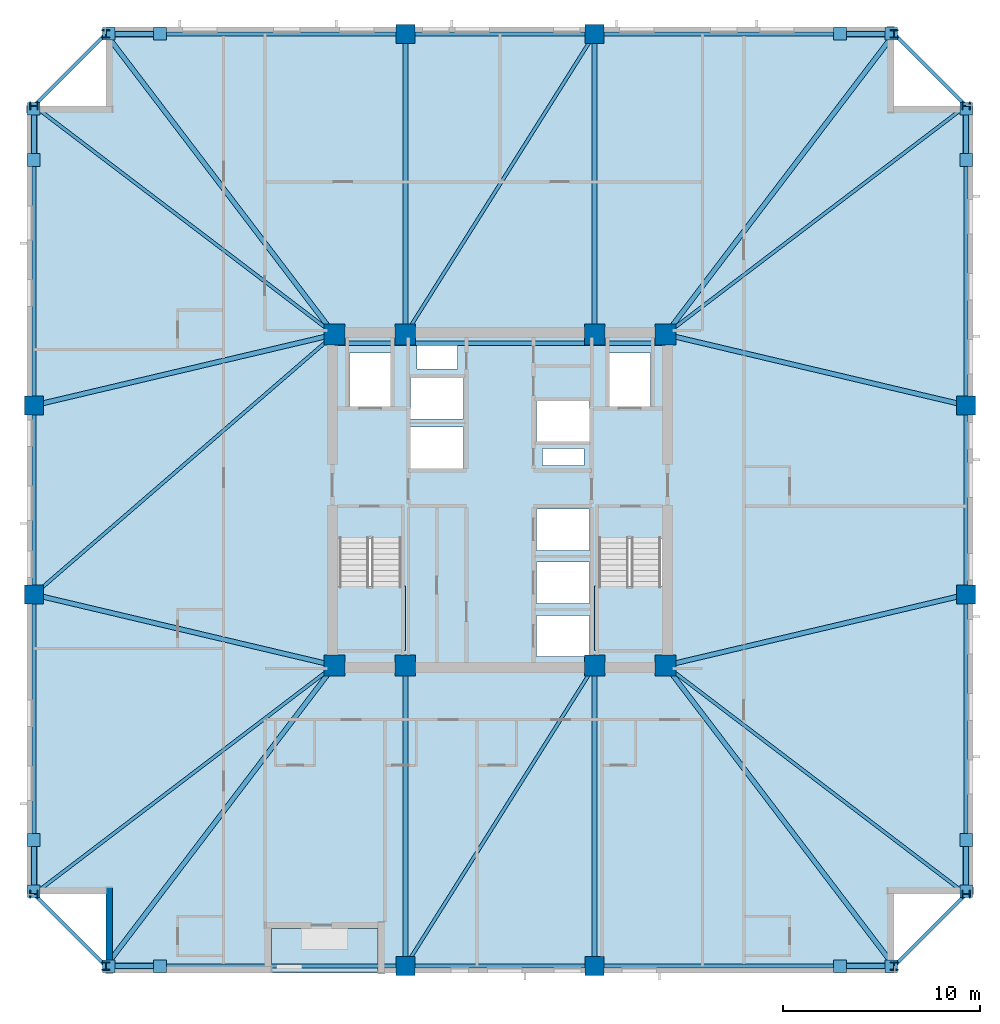
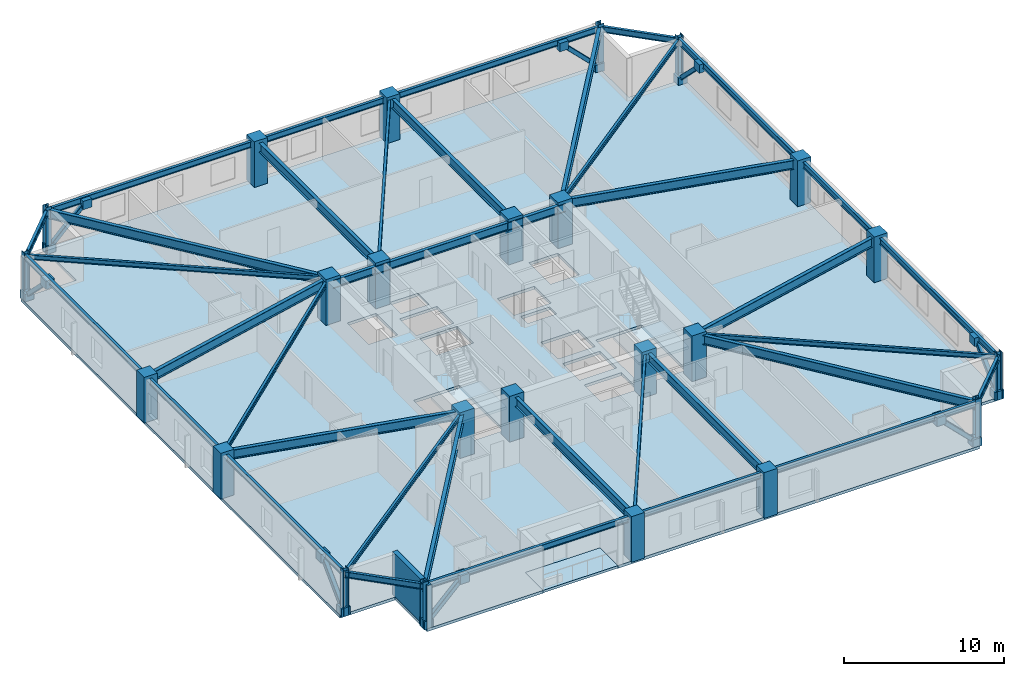
# One storey, part 1 of 10: 38 beams, 24 columns, 16 plates, 8 members, 4 slabs, 1 wall, 2 elements without a shape of their own.
"""IFC4 building model written with IfcOpenShell, lengths in metres."""

from ifc_helpers import new_model, si_unit, direction, frame, frame_2d, origin, origin_2d, place, context, subcontext, project, spatial, polyline, rectangle, hollow_rectangle, i_section, outline, extrude, material, layer, layer_set, material_profile, profile_set, type_object, element, aggregate, save


model = new_model("IFC4")

# Units and contexts
model_context = context("Model", 3, precision=1e-05, world=origin(), true_north=direction((0.0, 1.0)))
body_context = subcontext(model_context, "Body", "Model", "MODEL_VIEW")
ifc_project = project(units=[si_unit("LENGTHUNIT", "METRE"), si_unit("AREAUNIT", "SQUARE_METRE"), si_unit("VOLUMEUNIT", "CUBIC_METRE"), si_unit("PLANEANGLEUNIT", "RADIAN"), si_unit("MASSUNIT", "GRAM", prefix="KILO")], contexts=[model_context])

# Site, building, storey
site_placement = place(None, origin())
site = spatial("IfcSite", under=ifc_project, at=site_placement, CompositionType="ELEMENT")
building_placement = place(site_placement, origin())
building = spatial("IfcBuilding", under=site, at=building_placement, Name="Cairnveth Concourse Tower", CompositionType="ELEMENT")
storey_placement = place(building_placement, frame((0.0, 0.0, 144.5)))
storey = spatial("IfcBuildingStorey", under=building, at=storey_placement, Name="L39", CompositionType="ELEMENT", Elevation=144.5)

# Columns
ifc_material_1 = material(Name="Concrete N65 (65 MPa)", Category="concrete")
ifc_material_profile_1 = material_profile(ifc_material_1, rectangle(XDim=1.050048828125, YDim=1.050048828125, at=origin_2d()), Name="RC-COL-1050x1050")
ifc_profile_set_1 = profile_set([ifc_material_profile_1], Name="Concrete N65 (65 MPa)")
column_type_1 = type_object("IfcColumnType", Name="CORE COLUMN 1050X1050", PredefinedType="COLUMN", material=ifc_profile_set_1)
for number, where, z_axis, x_axis, name in (
    (1, (43.60009765625, 30.60009765625, 0.0), (0.0, 0.0, 1.0), (1.0, 0.0, 0.0), "Column CC1 L39"),
    (2, (47.199951171875, 30.60009765625, 0.0), (0.0, 0.0, 1.0), (1.0, 0.0, 0.0), "Column CC2 L39"),
    (3, (56.800048828125, 30.60009765625, 0.0), (0.0, 0.0, 1.0), (1.0, 0.0, 0.0), "Column CC3 L39"),
    (4, (60.39990234375, 30.60009765625, 0.0), (0.0, 0.0, 1.0), (1.0, 0.0, 0.0), "Column CC4 L39"),
    (5, (43.60009765625, 47.39990234375, 0.0), (0.0, 0.0, 1.0), (1.0, 0.0, 0.0), "Column CC5 L39"),
    (6, (47.199951171875, 47.39990234375, 0.0), (0.0, 0.0, 1.0), (1.0, 0.0, 0.0), "Column CC6 L39"),
    (7, (56.800048828125, 47.39990234375, 0.0), (0.0, 0.0, 1.0), (1.0, 0.0, 0.0), "Column CC7 L39"),
    (8, (60.39990234375, 47.39990234375, 0.0), (0.0, 0.0, 1.0), (1.0, 0.0, 0.0), "Column CC8 L39"),
):
    element("IfcColumn", number, at=place(storey_placement, frame(where, z_axis=z_axis, x_axis=x_axis)), inside=storey, type_object=column_type_1, Name=name, PredefinedType="COLUMN", context=body_context, shape_type="SweptSolid", body=[
        extrude(rectangle(XDim=1.050048828125, YDim=1.050048828125, at=origin_2d()), origin(), (0.0, 0.0, 1.0), 3.5),
    ])
ifc_material_profile_2 = material_profile(ifc_material_1, rectangle(XDim=0.949951171875, YDim=0.949951171875, at=origin_2d()), Name="RC-COL-950x950")
ifc_profile_set_2 = profile_set([ifc_material_profile_2], Name="Concrete N65 (65 MPa)")
column_type_2 = type_object("IfcColumnType", Name="PERIMETER PIER COLUMN 950X950", PredefinedType="COLUMN", material=ifc_profile_set_2)
for number, where, z_axis, x_axis, name in (
    (9, (47.199951171875, 15.35009765625, 0.0), (0.0, 0.0, 1.0), (1.0, 0.0, 0.0), "Column P-S2 L39"),
    (10, (56.800048828125, 15.35009765625, 0.0), (0.0, 0.0, 1.0), (1.0, 0.0, 0.0), "Column P-S3 L39"),
    (11, (75.64990234375, 34.199951171875, 0.0), (0.0, 0.0, 1.0), (0.0, 1.0, 0.0), "Column P-E2 L39"),
    (12, (75.64990234375, 43.800048828125, 0.0), (0.0, 0.0, 1.0), (0.0, 1.0, 0.0), "Column P-E3 L39"),
    (13, (56.800048828125, 62.64990234375, 0.0), (0.0, 0.0, 1.0), (1.0, 0.0, 0.0), "Column P-N2 L39"),
    (14, (47.199951171875, 62.64990234375, 0.0), (0.0, 0.0, 1.0), (1.0, 0.0, 0.0), "Column P-N3 L39"),
    (15, (28.35009765625, 43.800048828125, 0.0), (0.0, 0.0, 1.0), (0.0, 1.0, 0.0), "Column P-W2 L39"),
    (16, (28.35009765625, 34.199951171875, 0.0), (0.0, 0.0, 1.0), (0.0, 1.0, 0.0), "Column P-W3 L39"),
):
    element("IfcColumn", number, at=place(storey_placement, frame(where, z_axis=z_axis, x_axis=x_axis)), inside=storey, type_object=column_type_2, Name=name, PredefinedType="COLUMN", context=body_context, shape_type="SweptSolid", body=[
        extrude(rectangle(XDim=0.949951171875, YDim=0.949951171875, at=origin_2d()), origin(), (0.0, 0.0, 1.0), 3.5),
    ])
ifc_material_2 = material(Name="Steel Grade 350", Category="steel")
ifc_material_profile_3 = material_profile(ifc_material_2, i_section(OverallWidth=0.39990234375, OverallDepth=0.39990234375, WebThickness=0.02197265625, FlangeThickness=0.035888671875, at=origin_2d()), Name="400WC270")
ifc_profile_set_3 = profile_set([ifc_material_profile_3], Name="Steel Grade 350")
column_type_3 = type_object("IfcColumnType", Name="WELDED STEEL COLUMN 400WC270", PredefinedType="COLUMN", material=ifc_profile_set_3)
for number, where, z_axis, x_axis, name in (
    (17, (32.0, 15.35009765625, 0.0), (0.0, 0.0, 1.0), (1.0, 0.0, 0.0), "Column P-S1 L39"),
    (18, (72.0, 15.35009765625, 0.0), (0.0, 0.0, 1.0), (1.0, 0.0, 0.0), "Column P-S4 L39"),
    (19, (75.64990234375, 19.0, 0.0), (0.0, 0.0, 1.0), (0.0, 1.0, 0.0), "Column P-E1 L39"),
    (20, (75.64990234375, 59.0, 0.0), (0.0, 0.0, 1.0), (0.0, 1.0, 0.0), "Column P-E4 L39"),
    (21, (72.0, 62.64990234375, 0.0), (0.0, 0.0, 1.0), (1.0, 0.0, 0.0), "Column P-N1 L39"),
    (22, (32.0, 62.64990234375, 0.0), (0.0, 0.0, 1.0), (1.0, 0.0, 0.0), "Column P-N4 L39"),
    (23, (28.35009765625, 59.0, 0.0), (0.0, 0.0, 1.0), (0.0, 1.0, 0.0), "Column P-W1 L39"),
    (24, (28.35009765625, 19.0, 0.0), (0.0, 0.0, 1.0), (0.0, 1.0, 0.0), "Column P-W4 L39"),
):
    element("IfcColumn", number, at=place(storey_placement, frame(where, z_axis=z_axis, x_axis=x_axis)), inside=storey, type_object=column_type_3, Name=name, PredefinedType="COLUMN", context=body_context, shape_type="SweptSolid", body=[
        extrude(i_section(OverallWidth=0.39990234375, OverallDepth=0.39990234375, WebThickness=0.02197265625, FlangeThickness=0.035888671875, at=origin_2d()), origin(), (0.0, 0.0, 1.0), 3.5),
    ])

# Beams
ifc_material_profile_4 = material_profile(ifc_material_2, i_section(OverallWidth=0.22802734375, OverallDepth=0.60693359375, WebThickness=0.01123046875, FlangeThickness=0.017333984375, FilletRadius=0.013916015625, at=origin_2d()), Name="610UB113")
ifc_profile_set_4 = profile_set([ifc_material_profile_4], Name="Steel Grade 350")
beam_type_1 = type_object("IfcBeamType", Name="CORE TIE BEAM 610UB113", PredefinedType="T_BEAM", material=ifc_profile_set_4)
for number, where, z_axis, x_axis, name in (
    (25, (43.60009765625, 46.949951171875, 2.9765625), (1.0, 0.0, 0.0), (0.0, 1.0, 0.0), "Beam CT-N1 L39"),
    (26, (56.800048828125, 46.949951171875, 2.9765625), (1.0, 0.0, 0.0), (0.0, 1.0, 0.0), "Beam CT-N3 L39"),
):
    element("IfcBeam", number, at=place(storey_placement, frame(where, z_axis=z_axis, x_axis=x_axis)), inside=storey, type_object=beam_type_1, Name=name, PredefinedType="T_BEAM", context=body_context, shape_type="SweptSolid", body=[
        extrude(i_section(OverallWidth=0.22802734375, OverallDepth=0.60693359375, WebThickness=0.01123046875, FlangeThickness=0.017333984375, FilletRadius=0.013916015625, at=origin_2d()), origin(), (0.0, 0.0, 1.0), 3.599853515625),
    ])
beam_1_placement = place(storey_placement, frame((47.199951171875, 46.949951171875, 2.9765625), z_axis=(1.0, 0.0, 0.0), x_axis=(0.0, 1.0, 0.0)))
element("IfcBeam", 27, at=beam_1_placement, inside=storey, type_object=beam_type_1, Name="Beam CT-N2 L39", PredefinedType="T_BEAM", context=body_context, shape_type="SweptSolid", body=[
    extrude(i_section(OverallWidth=0.22802734375, OverallDepth=0.60693359375, WebThickness=0.01123046875, FlangeThickness=0.017333984375, FilletRadius=0.013916015625, at=origin_2d()), origin(), (0.0, 0.0, 1.0), 9.60009765625),
])
ifc_material_profile_5 = material_profile(ifc_material_2, i_section(OverallWidth=0.172119140625, OverallDepth=0.35888671875, WebThickness=0.008056640625, FlangeThickness=0.012939453125, FilletRadius=0.010986328125, at=origin_2d()), Name="360UB56.7")
ifc_profile_set_5 = profile_set([ifc_material_profile_5], Name="Steel Grade 350")
beam_type_2 = type_object("IfcBeamType", Name="ZONE 2 FLOOR JOIST 360UB56.7", PredefinedType="JOIST", material=ifc_profile_set_5)
for number, where, z_axis, x_axis, name in (
    (28, (28.35009765625, 19.0, 3.1005859375), (0.795908242904, 0.6054172684, 0.0), (-0.6054172684, 0.795908242904, 0.0), "Beam FJ-CSW2 L39"),
    (29, (75.64990234375, 19.0, 3.1005859375), (-0.795908242904, 0.6054172684, 0.0), (-0.6054172684, -0.795908242904, 0.0), "Beam FJ-CSE2 L39"),
    (30, (75.64990234375, 59.0, 3.1005859375), (-0.795908242904, -0.6054172684, 0.0), (0.6054172684, -0.795908242904, 0.0), "Beam FJ-CNE2 L39"),
    (31, (28.35009765625, 59.0, 3.1005859375), (0.795908242904, -0.6054172684, 0.0), (0.6054172684, 0.795908242904, 0.0), "Beam FJ-CNW2 L39"),
):
    element("IfcBeam", number, at=place(storey_placement, frame(where, z_axis=z_axis, x_axis=x_axis)), inside=storey, type_object=beam_type_2, Name=name, PredefinedType="JOIST", context=body_context, shape_type="SweptSolid", body=[
        extrude(i_section(OverallWidth=0.172119140625, OverallDepth=0.35888671875, WebThickness=0.008056640625, FlangeThickness=0.012939453125, FilletRadius=0.010986328125, at=origin_2d()), origin(), (0.0, 0.0, 1.0), 19.160400390625),
    ])
for number, where, z_axis, x_axis, name in (
    (32, (47.199951171875, 15.35009765625, 3.1005859375), (0.532743557037, 0.84627672923, 0.0), (-0.84627672923, 0.532743557037, 0.0), "Beam FJ-S-M1 L39"),
    (33, (47.199951171875, 47.39990234375, 3.1005859375), (0.532743557037, 0.84627672923, 0.0), (-0.84627672923, 0.532743557037, 0.0), "Beam FJ-N-M1 L39"),
):
    element("IfcBeam", number, at=place(storey_placement, frame(where, z_axis=z_axis, x_axis=x_axis)), inside=storey, type_object=beam_type_2, Name=name, PredefinedType="JOIST", context=body_context, shape_type="SweptSolid", body=[
        extrude(i_section(OverallWidth=0.172119140625, OverallDepth=0.35888671875, WebThickness=0.008056640625, FlangeThickness=0.012939453125, FilletRadius=0.010986328125, at=origin_2d()), origin(), (0.0, 0.0, 1.0), 18.02001953125),
    ])
beam_2_placement = place(storey_placement, frame((28.35009765625, 34.199951171875, 3.1005859375), z_axis=(0.756099107057, 0.654457134049, 0.0), x_axis=(-0.654457134049, 0.756099107057, 0.0)))
element("IfcBeam", 34, at=beam_2_placement, inside=storey, type_object=beam_type_2, Name="Beam FJ-W-M1 L39", PredefinedType="JOIST", context=body_context, shape_type="SweptSolid", body=[
    extrude(i_section(OverallWidth=0.172119140625, OverallDepth=0.35888671875, WebThickness=0.008056640625, FlangeThickness=0.012939453125, FilletRadius=0.010986328125, at=origin_2d()), origin(), (0.0, 0.0, 1.0), 20.16943359375),
])

# Members
ifc_material_3 = material(Name="Steel C350L0 (350 MPa)", Category="steel")
ifc_material_profile_6 = material_profile(ifc_material_3, hollow_rectangle(XDim=0.300048828125, YDim=0.300048828125, WallThickness=0.01611328125, InnerFilletRadius=0.01611328125, OuterFilletRadius=0.031982421875, at=origin_2d()), Name="300x300x16.0SHS")
ifc_profile_set_6 = profile_set([ifc_material_profile_6], Name="Steel C350L0 (350 MPa)")
member_type = type_object("IfcMemberType", Name="ZONE 2 PIER BRACE 300X300X16SHS", PredefinedType="BRACE", material=ifc_profile_set_6)
for number, where, z_axis, x_axis, name in (
    (35, (32.14990234375, 15.35009765625, 0.25), (0.709834195787, 0.0, 0.704368805735), (0.0, 1.0, 0.0), "Structural Brace PB-S1 L39"),
    (36, (71.85009765625, 15.35009765625, 0.25), (-0.709834195787, 0.0, 0.704368805735), (0.0, -1.0, 0.0), "Structural Brace PB-S2 L39"),
    (37, (32.14990234375, 62.64990234375, 0.25), (0.709834195787, 0.0, 0.704368805735), (0.0, 1.0, 0.0), "Structural Brace PB-N1 L39"),
    (38, (71.85009765625, 62.64990234375, 0.25), (-0.709834195787, 0.0, 0.704368805735), (0.0, -1.0, 0.0), "Structural Brace PB-N2 L39"),
    (39, (28.35009765625, 19.14990234375, 0.25), (0.0, 0.709834195787, 0.704368805735), (-1.0, 0.0, 0.0), "Structural Brace PB-W1 L39"),
    (40, (28.35009765625, 58.85009765625, 0.25), (0.0, -0.709834195787, 0.704368805735), (1.0, 0.0, 0.0), "Structural Brace PB-W2 L39"),
    (41, (75.64990234375, 19.14990234375, 0.25), (0.0, 0.709834195787, 0.704368805735), (-1.0, 0.0, 0.0), "Structural Brace PB-E1 L39"),
    (42, (75.64990234375, 58.85009765625, 0.25), (0.0, -0.709834195787, 0.704368805735), (1.0, 0.0, 0.0), "Structural Brace PB-E2 L39"),
):
    element("IfcMember", number, at=place(storey_placement, frame(where, z_axis=z_axis, x_axis=x_axis)), inside=storey, type_object=member_type, Name=name, PredefinedType="BRACE", context=body_context, shape_type="SweptSolid", body=[
        extrude(hollow_rectangle(XDim=0.300048828125, YDim=0.300048828125, WallThickness=0.01611328125, InnerFilletRadius=0.01611328125, OuterFilletRadius=0.031982421875, at=origin_2d()), origin(), (0.0, 0.0, 1.0), 3.6630859375),
    ])

# Beams
ifc_material_profile_7 = material_profile(ifc_material_2, i_section(OverallWidth=0.25, OverallDepth=0.699951171875, WebThickness=0.011962890625, FlangeThickness=0.028076171875, at=origin_2d()), Name="700WB173")
ifc_profile_set_7 = profile_set([ifc_material_profile_7], Name="Steel Grade 350")
beam_type_3 = type_object("IfcBeamType", Name="ZONE 2 RADIAL GIRDER 700WB173", PredefinedType="BEAM", material=ifc_profile_set_7)
for number, where, z_axis, x_axis, name in (
    (43, (47.199951171875, 15.35009765625, 2.929931640625), (0.0, 1.0, 0.0), (-1.0, 0.0, 0.0), "Beam RG-S1 L39"),
    (44, (56.800048828125, 15.35009765625, 2.929931640625), (0.0, 1.0, 0.0), (-1.0, 0.0, 0.0), "Beam RG-S2 L39"),
    (45, (47.199951171875, 47.39990234375, 2.929931640625), (0.0, 1.0, 0.0), (-1.0, 0.0, 0.0), "Beam RG-N1 L39"),
    (46, (56.800048828125, 47.39990234375, 2.929931640625), (0.0, 1.0, 0.0), (-1.0, 0.0, 0.0), "Beam RG-N2 L39"),
):
    element("IfcBeam", number, at=place(storey_placement, frame(where, z_axis=z_axis, x_axis=x_axis)), inside=storey, type_object=beam_type_3, Name=name, PredefinedType="BEAM", context=body_context, shape_type="SweptSolid", body=[
        extrude(i_section(OverallWidth=0.25, OverallDepth=0.699951171875, WebThickness=0.011962890625, FlangeThickness=0.028076171875, at=origin_2d()), origin(), (0.0, 0.0, 1.0), 15.25),
    ])
for number, where, z_axis, x_axis, name in (
    (47, (28.35009765625, 34.199951171875, 2.929931640625), (0.973251602929, -0.229741849468, 0.0), (0.229741849468, 0.973251602929, 0.0), "Beam RG-W1 L39"),
    (48, (28.35009765625, 43.800048828125, 2.929931640625), (0.973251602929, 0.229741849468, 0.0), (-0.229741849468, 0.973251602929, 0.0), "Beam RG-W2 L39"),
    (49, (60.39990234375, 30.60009765625, 2.929931640625), (0.973251602929, 0.229741849468, 0.0), (-0.229741849468, 0.973251602929, 0.0), "Beam RG-E1 L39"),
    (50, (60.39990234375, 47.39990234375, 2.929931640625), (0.973251602929, -0.229741849468, 0.0), (0.229741849468, 0.973251602929, 0.0), "Beam RG-E2 L39"),
):
    element("IfcBeam", number, at=place(storey_placement, frame(where, z_axis=z_axis, x_axis=x_axis)), inside=storey, type_object=beam_type_3, Name=name, PredefinedType="BEAM", context=body_context, shape_type="SweptSolid", body=[
        extrude(i_section(OverallWidth=0.25, OverallDepth=0.699951171875, WebThickness=0.011962890625, FlangeThickness=0.028076171875, at=origin_2d()), origin(), (0.0, 0.0, 1.0), 15.669189453125),
    ])
for number, where, z_axis, x_axis, name in (
    (51, (32.0, 15.35009765625, 2.929931640625), (0.6054172684, 0.795908242904, 0.0), (-0.795908242904, 0.6054172684, 0.0), "Beam RG-CSW L39"),
    (52, (72.0, 15.35009765625, 2.929931640625), (-0.6054172684, 0.795908242904, 0.0), (-0.795908242904, -0.6054172684, 0.0), "Beam RG-CSE L39"),
    (53, (72.0, 62.64990234375, 2.929931640625), (-0.6054172684, -0.795908242904, 0.0), (0.795908242904, -0.6054172684, 0.0), "Beam RG-CNE L39"),
    (54, (32.0, 62.64990234375, 2.929931640625), (0.6054172684, -0.795908242904, 0.0), (0.795908242904, 0.6054172684, 0.0), "Beam RG-CNW L39"),
):
    element("IfcBeam", number, at=place(storey_placement, frame(where, z_axis=z_axis, x_axis=x_axis)), inside=storey, type_object=beam_type_3, Name=name, PredefinedType="BEAM", context=body_context, shape_type="SweptSolid", body=[
        extrude(i_section(OverallWidth=0.25, OverallDepth=0.699951171875, WebThickness=0.011962890625, FlangeThickness=0.028076171875, at=origin_2d()), origin(), (0.0, 0.0, 1.0), 19.160400390625),
    ])
ifc_material_profile_8 = material_profile(ifc_material_2, i_section(OverallWidth=0.18994140625, OverallDepth=0.45703125, WebThickness=0.009033203125, FlangeThickness=0.014404296875, FilletRadius=0.010986328125, at=origin_2d()), Name="460UB74.6")
ifc_profile_set_8 = profile_set([ifc_material_profile_8], Name="Steel Grade 350")
beam_type_4 = type_object("IfcBeamType", Name="ZONE 2 SPANDREL BEAM 460UB74.6", PredefinedType="SPANDREL", material=ifc_profile_set_8)
beam_3_placement = place(storey_placement, frame((32.0, 15.35009765625, 3.051513671875), z_axis=(1.0, 0.0, 0.0), x_axis=(0.0, 1.0, 0.0)))
element("IfcBeam", 55, at=beam_3_placement, inside=storey, type_object=beam_type_4, Name="Beam SP-S1 L39", PredefinedType="SPANDREL", context=body_context, shape_type="SweptSolid", body=[
    extrude(i_section(OverallWidth=0.18994140625, OverallDepth=0.45703125, WebThickness=0.009033203125, FlangeThickness=0.014404296875, FilletRadius=0.010986328125, at=origin_2d()), origin(), (0.0, 0.0, 1.0), 15.199951171875),
])
beam_4_placement = place(storey_placement, frame((47.199951171875, 15.35009765625, 3.051513671875), z_axis=(1.0, 0.0, 0.0), x_axis=(0.0, 1.0, 0.0)))
element("IfcBeam", 56, at=beam_4_placement, inside=storey, type_object=beam_type_4, Name="Beam SP-S2 L39", PredefinedType="SPANDREL", context=body_context, shape_type="SweptSolid", body=[
    extrude(i_section(OverallWidth=0.18994140625, OverallDepth=0.45703125, WebThickness=0.009033203125, FlangeThickness=0.014404296875, FilletRadius=0.010986328125, at=origin_2d()), origin(), (0.0, 0.0, 1.0), 9.60009765625),
])
for number, where, z_axis, x_axis, name in (
    (57, (56.800048828125, 15.35009765625, 3.051513671875), (1.0, 0.0, 0.0), (0.0, 1.0, 0.0), "Beam SP-S3 L39"),
    (58, (32.0, 62.64990234375, 3.051513671875), (1.0, 0.0, 0.0), (0.0, 1.0, 0.0), "Beam SP-N1 L39"),
):
    element("IfcBeam", number, at=place(storey_placement, frame(where, z_axis=z_axis, x_axis=x_axis)), inside=storey, type_object=beam_type_4, Name=name, PredefinedType="SPANDREL", context=body_context, shape_type="SweptSolid", body=[
        extrude(i_section(OverallWidth=0.18994140625, OverallDepth=0.45703125, WebThickness=0.009033203125, FlangeThickness=0.014404296875, FilletRadius=0.010986328125, at=origin_2d()), origin(), (0.0, 0.0, 1.0), 15.199951171875),
    ])
beam_5_placement = place(storey_placement, frame((47.199951171875, 62.64990234375, 3.051513671875), z_axis=(1.0, 0.0, 0.0), x_axis=(0.0, 1.0, 0.0)))
element("IfcBeam", 59, at=beam_5_placement, inside=storey, type_object=beam_type_4, Name="Beam SP-N2 L39", PredefinedType="SPANDREL", context=body_context, shape_type="SweptSolid", body=[
    extrude(i_section(OverallWidth=0.18994140625, OverallDepth=0.45703125, WebThickness=0.009033203125, FlangeThickness=0.014404296875, FilletRadius=0.010986328125, at=origin_2d()), origin(), (0.0, 0.0, 1.0), 9.60009765625),
])
for number, where, z_axis, x_axis, name in (
    (60, (56.800048828125, 62.64990234375, 3.051513671875), (1.0, 0.0, 0.0), (0.0, 1.0, 0.0), "Beam SP-N3 L39"),
    (61, (28.35009765625, 19.0, 3.051513671875), (0.0, 1.0, 0.0), (-1.0, 0.0, 0.0), "Beam SP-W1 L39"),
):
    element("IfcBeam", number, at=place(storey_placement, frame(where, z_axis=z_axis, x_axis=x_axis)), inside=storey, type_object=beam_type_4, Name=name, PredefinedType="SPANDREL", context=body_context, shape_type="SweptSolid", body=[
        extrude(i_section(OverallWidth=0.18994140625, OverallDepth=0.45703125, WebThickness=0.009033203125, FlangeThickness=0.014404296875, FilletRadius=0.010986328125, at=origin_2d()), origin(), (0.0, 0.0, 1.0), 15.199951171875),
    ])
beam_6_placement = place(storey_placement, frame((28.35009765625, 34.199951171875, 3.051513671875), z_axis=(0.0, 1.0, 0.0), x_axis=(-1.0, 0.0, 0.0)))
element("IfcBeam", 62, at=beam_6_placement, inside=storey, type_object=beam_type_4, Name="Beam SP-W2 L39", PredefinedType="SPANDREL", context=body_context, shape_type="SweptSolid", body=[
    extrude(i_section(OverallWidth=0.18994140625, OverallDepth=0.45703125, WebThickness=0.009033203125, FlangeThickness=0.014404296875, FilletRadius=0.010986328125, at=origin_2d()), origin(), (0.0, 0.0, 1.0), 9.60009765625),
])
for number, where, z_axis, x_axis, name in (
    (63, (28.35009765625, 43.800048828125, 3.051513671875), (0.0, 1.0, 0.0), (-1.0, 0.0, 0.0), "Beam SP-W3 L39"),
    (64, (75.64990234375, 19.0, 3.051513671875), (0.0, 1.0, 0.0), (-1.0, 0.0, 0.0), "Beam SP-E1 L39"),
):
    element("IfcBeam", number, at=place(storey_placement, frame(where, z_axis=z_axis, x_axis=x_axis)), inside=storey, type_object=beam_type_4, Name=name, PredefinedType="SPANDREL", context=body_context, shape_type="SweptSolid", body=[
        extrude(i_section(OverallWidth=0.18994140625, OverallDepth=0.45703125, WebThickness=0.009033203125, FlangeThickness=0.014404296875, FilletRadius=0.010986328125, at=origin_2d()), origin(), (0.0, 0.0, 1.0), 15.199951171875),
    ])
beam_7_placement = place(storey_placement, frame((75.64990234375, 34.199951171875, 3.051513671875), z_axis=(0.0, 1.0, 0.0), x_axis=(-1.0, 0.0, 0.0)))
element("IfcBeam", 65, at=beam_7_placement, inside=storey, type_object=beam_type_4, Name="Beam SP-E2 L39", PredefinedType="SPANDREL", context=body_context, shape_type="SweptSolid", body=[
    extrude(i_section(OverallWidth=0.18994140625, OverallDepth=0.45703125, WebThickness=0.009033203125, FlangeThickness=0.014404296875, FilletRadius=0.010986328125, at=origin_2d()), origin(), (0.0, 0.0, 1.0), 9.60009765625),
])
beam_8_placement = place(storey_placement, frame((75.64990234375, 43.800048828125, 3.051513671875), z_axis=(0.0, 1.0, 0.0), x_axis=(-1.0, 0.0, 0.0)))
element("IfcBeam", 66, at=beam_8_placement, inside=storey, type_object=beam_type_4, Name="Beam SP-E3 L39", PredefinedType="SPANDREL", context=body_context, shape_type="SweptSolid", body=[
    extrude(i_section(OverallWidth=0.18994140625, OverallDepth=0.45703125, WebThickness=0.009033203125, FlangeThickness=0.014404296875, FilletRadius=0.010986328125, at=origin_2d()), origin(), (0.0, 0.0, 1.0), 15.199951171875),
])
for number, where, z_axis, x_axis, name in (
    (67, (28.35009765625, 19.0, 3.051513671875), (0.707106781187, -0.707106781187, 0.0), (0.707106781187, 0.707106781187, 0.0), "Beam SP-SW L39"),
    (68, (72.0, 15.35009765625, 3.051513671875), (0.707106781187, 0.707106781187, 0.0), (-0.707106781187, 0.707106781187, 0.0), "Beam SP-SE L39"),
    (69, (72.0, 62.64990234375, 3.051513671875), (0.707106781187, -0.707106781187, 0.0), (0.707106781187, 0.707106781187, 0.0), "Beam SP-NE L39"),
    (70, (28.35009765625, 59.0, 3.051513671875), (0.707106781187, 0.707106781187, 0.0), (-0.707106781187, 0.707106781187, 0.0), "Beam SP-NW L39"),
):
    element("IfcBeam", number, at=place(storey_placement, frame(where, z_axis=z_axis, x_axis=x_axis)), inside=storey, type_object=beam_type_4, Name=name, PredefinedType="SPANDREL", context=body_context, shape_type="SweptSolid", body=[
        extrude(i_section(OverallWidth=0.18994140625, OverallDepth=0.45703125, WebThickness=0.009033203125, FlangeThickness=0.014404296875, FilletRadius=0.010986328125, at=origin_2d()), origin(), (0.0, 0.0, 1.0), 5.16162109375),
    ])

# Slab
ifc_material_4 = material(Name="Concrete N50 (50 MPa)", Category="concrete")
ifc_layer_1 = layer(ifc_material_4, 0.219970703125)
ifc_layer_set_1 = layer_set([ifc_layer_1], Name="Concrete N50 (50 MPa)")
slab_type_1 = type_object("IfcSlabType", Name="LOWER TOWER COMPOSITE SLAB 220", PredefinedType="FLOOR", material=ifc_layer_set_1)
slab_1_placement = place(storey_placement, frame((0.0, 0.0, -0.219970703125)))
element("IfcSlab", 71, at=slab_1_placement, inside=storey, type_object=slab_type_1, Name="Tower Floor Slab L39", PredefinedType="FLOOR", context=body_context, shape_type="SweptSolid", body=[
    extrude(outline(polyline([(40.39990234375, 15.0), (40.39990234375, 17.25), (45.800048828125, 17.25), (45.800048828125, 15.0), (72.0, 15.0), (72.0, 19.0), (76.0, 19.0), (76.0, 59.0), (72.0, 59.0), (72.0, 63.0), (32.0, 63.0), (32.0, 59.0), (28.0, 59.0), (28.0, 19.0), (32.0, 19.0), (32.0, 15.0), (40.39990234375, 15.0)]), holes=[polyline([(43.760009765625, 31.360107421875), (47.06005859375, 31.360107421875), (47.06005859375, 37.0400390625), (43.760009765625, 37.0400390625), (43.760009765625, 31.360107421875)]), polyline([(56.93994140625, 31.360107421875), (60.239990234375, 31.360107421875), (60.239990234375, 37.0400390625), (56.93994140625, 37.0400390625), (56.93994140625, 31.360107421875)]), polyline([(44.3701171875, 43.75), (46.469970703125, 43.75), (46.469970703125, 46.449951171875), (44.3701171875, 46.449951171875), (44.3701171875, 43.75)]), polyline([(57.530029296875, 43.75), (59.6298828125, 43.75), (59.6298828125, 46.449951171875), (57.530029296875, 46.449951171875), (57.530029296875, 43.75)]), polyline([(53.85009765625, 31.050048828125), (56.550048828125, 31.050048828125), (56.550048828125, 33.14990234375), (53.85009765625, 33.14990234375), (53.85009765625, 31.050048828125)]), polyline([(53.85009765625, 33.75), (56.550048828125, 33.75), (56.550048828125, 35.85009765625), (53.85009765625, 35.85009765625), (53.85009765625, 33.75)]), polyline([(53.85009765625, 36.449951171875), (56.550048828125, 36.449951171875), (56.550048828125, 38.550048828125), (53.85009765625, 38.550048828125), (53.85009765625, 36.449951171875)]), polyline([(47.449951171875, 40.60009765625), (50.14990234375, 40.60009765625), (50.14990234375, 42.699951171875), (47.449951171875, 42.699951171875), (47.449951171875, 40.60009765625)]), polyline([(47.449951171875, 43.10009765625), (50.14990234375, 43.10009765625), (50.14990234375, 45.199951171875), (47.449951171875, 45.199951171875), (47.449951171875, 43.10009765625)]), polyline([(53.85009765625, 41.949951171875), (56.550048828125, 41.949951171875), (56.550048828125, 44.050048828125), (53.85009765625, 44.050048828125), (53.85009765625, 41.949951171875)]), polyline([(47.800048828125, 45.64990234375), (49.85009765625, 45.64990234375), (49.85009765625, 47.050048828125), (47.800048828125, 47.050048828125), (47.800048828125, 45.64990234375)]), polyline([(54.14990234375, 40.75), (56.25, 40.75), (56.25, 41.6201171875), (54.14990234375, 41.6201171875), (54.14990234375, 40.75)])]), origin(), (0.0, 0.0, 1.0), 0.219970703125),
])

# Plates
ifc_layer_2 = layer(ifc_material_2, 0.031982421875)
ifc_layer_set_2 = layer_set([ifc_layer_2], Name="Steel Grade 350")
plate_type = type_object("IfcPlateType", Name="PERIMETER BRACE GUSSET PLATE 32", PredefinedType="USERDEFINED", material=ifc_layer_set_2)
for number, where, z_axis, x_axis, name in (
    (72, (32.14990234375, 15.35009765625, -0.06982421875), (0.0, 0.0, 1.0), (1.0, 0.0, 0.0), "Structural Node Plate 0657 L39"),
    (73, (34.75, 15.35009765625, 2.51025390625), (0.0, 0.0, 1.0), (1.0, 0.0, 0.0), "Structural Node Plate 0658 L39"),
    (74, (71.85009765625, 15.35009765625, -0.06982421875), (0.0, 0.0, 1.0), (1.0, 0.0, 0.0), "Structural Node Plate 0659 L39"),
    (75, (69.25, 15.35009765625, 2.51025390625), (0.0, 0.0, 1.0), (1.0, 0.0, 0.0), "Structural Node Plate 0660 L39"),
    (76, (32.14990234375, 62.64990234375, -0.06982421875), (0.0, 0.0, 1.0), (1.0, 0.0, 0.0), "Structural Node Plate 0661 L39"),
    (77, (34.75, 62.64990234375, 2.51025390625), (0.0, 0.0, 1.0), (1.0, 0.0, 0.0), "Structural Node Plate 0662 L39"),
    (78, (71.85009765625, 62.64990234375, -0.06982421875), (0.0, 0.0, 1.0), (1.0, 0.0, 0.0), "Structural Node Plate 0663 L39"),
    (79, (69.25, 62.64990234375, 2.51025390625), (0.0, 0.0, 1.0), (1.0, 0.0, 0.0), "Structural Node Plate 0664 L39"),
    (80, (28.35009765625, 19.14990234375, -0.06982421875), (0.0, 0.0, 1.0), (1.0, 0.0, 0.0), "Structural Node Plate 0665 L39"),
    (81, (28.35009765625, 21.75, 2.51025390625), (0.0, 0.0, 1.0), (1.0, 0.0, 0.0), "Structural Node Plate 0666 L39"),
    (82, (28.35009765625, 58.85009765625, -0.06982421875), (0.0, 0.0, 1.0), (1.0, 0.0, 0.0), "Structural Node Plate 0667 L39"),
    (83, (28.35009765625, 56.25, 2.51025390625), (0.0, 0.0, 1.0), (1.0, 0.0, 0.0), "Structural Node Plate 0668 L39"),
    (84, (75.64990234375, 19.14990234375, -0.06982421875), (0.0, 0.0, 1.0), (1.0, 0.0, 0.0), "Structural Node Plate 0669 L39"),
    (85, (75.64990234375, 21.75, 2.51025390625), (0.0, 0.0, 1.0), (1.0, 0.0, 0.0), "Structural Node Plate 0670 L39"),
    (86, (75.64990234375, 58.85009765625, -0.06982421875), (0.0, 0.0, 1.0), (1.0, 0.0, 0.0), "Structural Node Plate 0671 L39"),
    (87, (75.64990234375, 56.25, 2.51025390625), (0.0, 0.0, 1.0), (1.0, 0.0, 0.0), "Structural Node Plate 0672 L39"),
):
    element("IfcPlate", number, at=place(storey_placement, frame(where, z_axis=z_axis, x_axis=x_axis)), inside=storey, type_object=plate_type, Name=name, ObjectType="GUSSET PLATE", PredefinedType="USERDEFINED", context=body_context, shape_type="SweptSolid", body=[
        extrude(rectangle(XDim=0.639892578125, YDim=0.639892578125, at=origin_2d()), origin(), (0.0, 0.0, 1.0), 0.639892578125),
    ])

# Slab
ifc_layer_3 = layer(ifc_material_4, 0.18994140625)
ifc_layer_set_3 = layer_set([ifc_layer_3], Name="Concrete N50 (50 MPa)")
slab_type_2 = type_object("IfcSlabType", Name="SPIRAL OUTDOOR TERRACE SLAB 190", PredefinedType="FLOOR", material=ifc_layer_set_3)
slab_2_placement = place(storey_placement, frame((0.0, 0.0, -0.18994140625)))
element("IfcSlab", 88, at=slab_2_placement, inside=storey, type_object=slab_type_2, Name="Spiral Terrace Slab L39", PredefinedType="FLOOR", context=body_context, shape_type="SweptSolid", body=[
    extrude(outline(polyline([(40.39990234375, 15.0), (45.800048828125, 15.0), (45.800048828125, 17.25), (40.39990234375, 17.25), (40.39990234375, 15.0)])), origin(), (0.0, 0.0, 1.0), 0.18994140625),
])

# Stair, slab
ifc_material_5 = material(Name="Precast concrete N50 (50 MPa)", Category="concrete")
stair_type = type_object("IfcStairType", Name="CORE DOG-LEG FIRE STAIR 1500", PredefinedType="HALF_TURN_STAIR", material=ifc_material_5)
stair_1_placement = place(storey_placement, origin())
stair_1 = element("IfcStair", 89, at=stair_1_placement, inside=storey, type_object=stair_type, Name="L39 Fire-Isolated Stair ST-1", PredefinedType="HALF_TURN_STAIR")
ifc_layer_4 = layer(ifc_material_4, 0.199951171875)
ifc_layer_set_4 = layer_set([ifc_layer_4], Name="Concrete N50 (50 MPa)")
slab_type_3 = type_object("IfcSlabType", Name="STAIR HALF LANDING SLAB 200", PredefinedType="LANDING", material=ifc_layer_set_4)
slab_3_placement = place(storey_placement, frame((0.0, 0.0, 1.550048828125)))
slab_3 = element("IfcSlab", 90, at=slab_3_placement, type_object=slab_type_3, Name="ST-1 landing 1", PredefinedType="LANDING", context=body_context, shape_type="SweptSolid", body=[
    extrude(outline(polyline([(43.6201171875, 34.639892578125), (43.6201171875, 31.3701171875), (47.199951171875, 31.3701171875), (47.199951171875, 34.639892578125), (43.6201171875, 34.639892578125)])), origin(), (0.0, 0.0, 1.0), 0.199951171875),
])
aggregate(stair_1, [slab_3])

stair_2_placement = place(storey_placement, origin())
stair_2 = element("IfcStair", 91, at=stair_2_placement, inside=storey, type_object=stair_type, Name="L39 Fire-Isolated Stair ST-2", PredefinedType="HALF_TURN_STAIR")
slab_4_placement = place(storey_placement, frame((0.0, 0.0, 1.550048828125)))
slab_4 = element("IfcSlab", 92, at=slab_4_placement, type_object=slab_type_3, Name="ST-2 landing 1", PredefinedType="LANDING", context=body_context, shape_type="SweptSolid", body=[
    extrude(outline(polyline([(56.800048828125, 34.639892578125), (56.800048828125, 31.3701171875), (60.3798828125, 31.3701171875), (60.3798828125, 34.639892578125), (56.800048828125, 34.639892578125)])), origin(), (0.0, 0.0, 1.0), 0.199951171875),
])
aggregate(stair_2, [slab_4])

# Wall
ifc_material_6 = material(Name="Hawthorn Red-Ochre Fired Clay Brick Masonry", Category="masonry")
ifc_layer_5 = layer(ifc_material_6, 0.340087890625)
ifc_layer_set_5 = layer_set([ifc_layer_5], Name="Hawthorn Red-Ochre Fired Clay Brick Masonry")
wall_type = type_object("IfcWallType", Name="ZONE 2 BRICK PIER SPANDREL WALL 340", PredefinedType="SOLIDWALL", material=ifc_layer_set_5)
wall_placement = place(storey_placement, frame((32.169921875, 15.0, 0.0), z_axis=(0.0, 0.0, 1.0), x_axis=(0.0, 1.0, 0.0)))
element("IfcWall", 93, at=wall_placement, inside=storey, type_object=wall_type, Name="Exterior Wall EW-L39-S01", PredefinedType="SOLIDWALL", context=body_context, shape_type="SweptSolid", body=[
    extrude(rectangle(XDim=4.340087890625, YDim=0.340087890625, at=frame_2d((2.169921875, 0.0))), origin(), (0.0, 0.0, 1.0), 3.280029296875),
])

save(model, "model.ifc")
